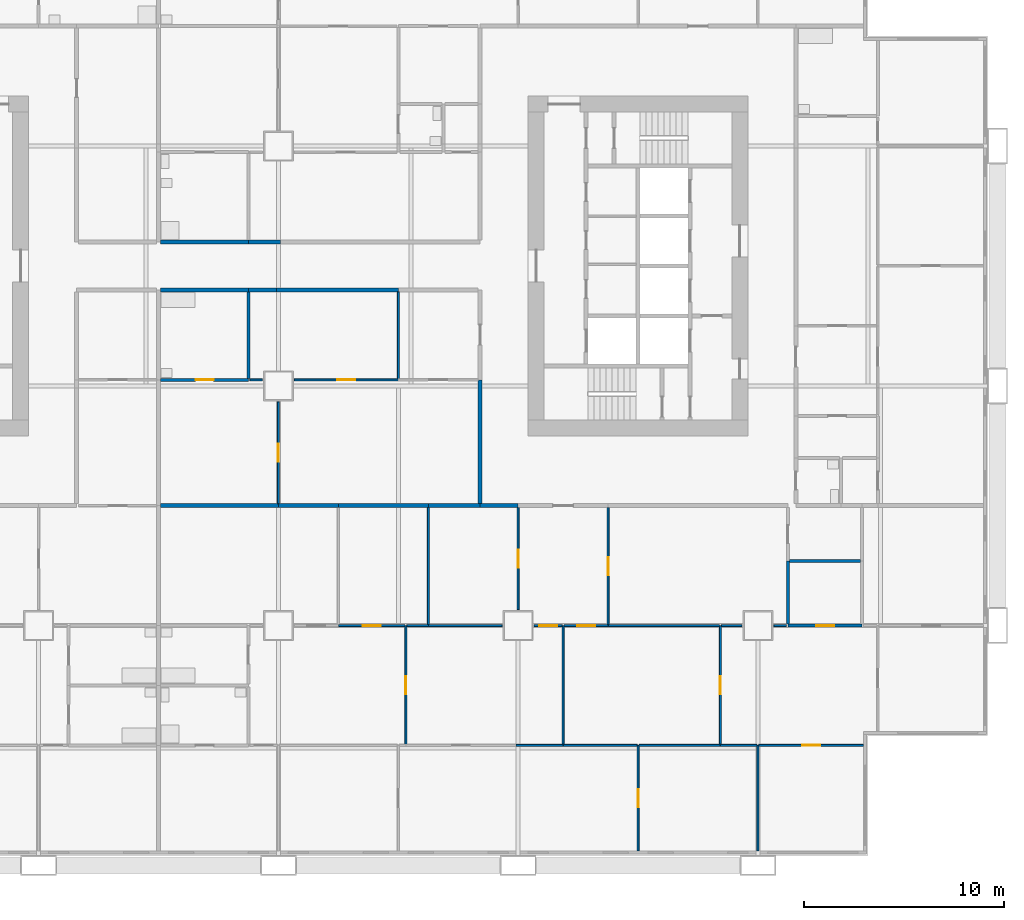
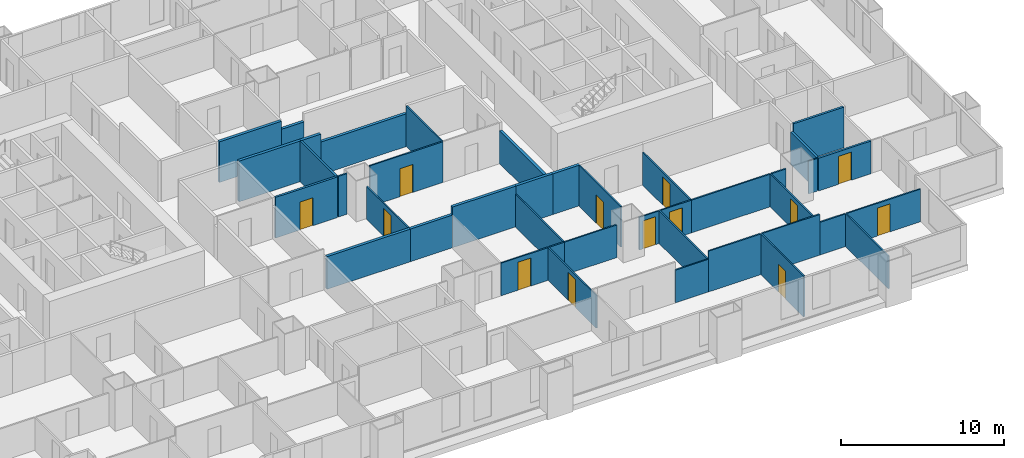
# One storey, part 6 of 14: 41 walls, 13 doors, 13 openings.
"""IFC4 building model written with IfcOpenShell, lengths in metres."""

from ifc_helpers import new_model, si_unit, direction, frame, frame_2d, origin, place, context, subcontext, project, spatial, rectangle, extrude, material, layer, layer_set, type_object, element, fill, save


model = new_model("IFC4")

# Units and contexts
model_context = context("Model", 3, precision=1e-05, world=origin(), true_north=direction((0.0, 1.0)))
body_context = subcontext(model_context, "Body", "Model", "MODEL_VIEW")
ifc_project = project(units=[si_unit("LENGTHUNIT", "METRE"), si_unit("AREAUNIT", "SQUARE_METRE"), si_unit("VOLUMEUNIT", "CUBIC_METRE"), si_unit("PLANEANGLEUNIT", "RADIAN"), si_unit("MASSUNIT", "GRAM", prefix="KILO")], contexts=[model_context])

# Site, building, storey
site_placement = place(None, origin())
site = spatial("IfcSite", under=ifc_project, at=site_placement, CompositionType="ELEMENT")
building_placement = place(site_placement, origin())
building = spatial("IfcBuilding", under=site, at=building_placement, Name="Kitamizu Gate Tower and Museum", CompositionType="ELEMENT")
storey_placement = place(building_placement, frame((0.0, 0.0, 43.800048828125)))
storey = spatial("IfcBuildingStorey", under=building, at=storey_placement, Name="L09", CompositionType="ELEMENT", Elevation=43.800048828125)

# Wall, opening, door
ifc_material_1 = material(Name="Gypsum board on galvanised stud")
ifc_layer_1 = layer(ifc_material_1, 0.10009765625)
ifc_layer_set_1 = layer_set([ifc_layer_1], Name="Gypsum board on galvanised stud")
wall_type_1 = type_object("IfcWallType", Name="Partition 100 NOT RATED", PredefinedType="PARTITIONING", material=ifc_layer_set_1)
wall_1_placement = place(storey_placement, frame((54.0, 0.719970703125, 0.0), z_axis=(0.0, 0.0, 1.0), x_axis=(0.0, 1.0, 0.0)))
wall_1 = element("IfcWall", 1, at=wall_1_placement, inside=storey, type_object=wall_type_1, Name="Partition L09-051", PredefinedType="PARTITIONING", context=body_context, shape_type="SweptSolid", body=[
    extrude(rectangle(XDim=5.280029296875, YDim=0.10009765625, at=frame_2d((2.64013671875, 0.0))), origin(), (0.0, 0.0, 1.0), 3.050048828125),
])
opening_1_placement = place(wall_1_placement, frame((2.18994140625, 0.0, 0.0)))
opening_1 = element("IfcOpeningElement", 2, at=opening_1_placement, cuts=wall_1, Name="Opening L09-027", PredefinedType="OPENING", context=body_context, shape_type="SweptSolid", body=[
    extrude(rectangle(XDim=0.89990234375, YDim=2.10009765625, at=frame_2d((0.449951171875, 1.050048828125))), frame((0.0, 0.06005859375, 0.0), z_axis=(0.0, -1.0, 0.0), x_axis=(1.0, 0.0, 0.0)), (0.0, 0.0, 1.0), 0.1201171875),
])
ifc_material_2 = material(Name="Timber door set", Category="wood")
door_type_1 = type_object("IfcDoorType", Name="Room door 900", OperationType="NOTDEFINED", PredefinedType="DOOR", material=ifc_material_2)
door_1_placement = place(opening_1_placement, frame((0.89990234375, 0.0, 0.0), x_axis=(-1.0, 0.0, 0.0)))
door_1 = element("IfcDoor", 3, at=door_1_placement, inside=storey, type_object=door_type_1, Name="Door L09-027", OperationType="SINGLE_SWING_LEFT", OverallHeight=2.10009765625, OverallWidth=0.89990234375, PredefinedType="DOOR", context=body_context, shape_type="SweptSolid", body=[
    extrude(rectangle(XDim=0.89990234375, YDim=2.10009765625, at=frame_2d((0.449951171875, 1.050048828125))), frame((0.0, 0.02490234375, 0.0), z_axis=(0.0, -1.0, 0.0), x_axis=(1.0, 0.0, 0.0)), (0.0, 0.0, 1.0), 0.050048828125),
])
fill(opening_1, door_1)

# Walls
wall_2_placement = place(storey_placement, frame((50.25, 6.0, 0.0), z_axis=(0.0, 0.0, 1.0), x_axis=(-1.0, 0.0, 0.0)))
element("IfcWall", 4, at=wall_2_placement, inside=storey, type_object=wall_type_1, Name="Partition L09-053", PredefinedType="PARTITIONING", context=body_context, shape_type="SweptSolid", body=[
    extrude(rectangle(XDim=2.35009765625, YDim=0.10009765625, at=frame_2d((1.175048828125, 0.0))), origin(), (0.0, 0.0, 1.0), 2.449951171875),
])
wall_3_placement = place(storey_placement, frame((53.949951171875, 6.0, 0.0), z_axis=(0.0, 0.0, 1.0), x_axis=(-1.0, 0.0, 0.0)))
element("IfcWall", 5, at=wall_3_placement, inside=storey, type_object=wall_type_1, Name="Partition L09-055", PredefinedType="PARTITIONING", context=body_context, shape_type="SweptSolid", body=[
    extrude(rectangle(XDim=3.699951171875, YDim=0.10009765625, at=frame_2d((1.85009765625, 0.0))), origin(), (0.0, 0.0, 1.0), 3.050048828125),
])
wall_4_placement = place(storey_placement, frame((60.0, 0.719970703125, 0.0), z_axis=(0.0, 0.0, 1.0), x_axis=(0.0, 1.0, 0.0)))
element("IfcWall", 6, at=wall_4_placement, inside=storey, type_object=wall_type_1, Name="Partition L09-056", PredefinedType="PARTITIONING", context=body_context, shape_type="SweptSolid", body=[
    extrude(rectangle(XDim=5.280029296875, YDim=0.10009765625, at=frame_2d((2.64013671875, 0.0))), origin(), (0.0, 0.0, 1.0), 2.449951171875),
])
wall_5_placement = place(storey_placement, frame((58.125, 6.0, 0.0), z_axis=(0.0, 0.0, 1.0), x_axis=(-1.0, 0.0, 0.0)))
element("IfcWall", 7, at=wall_5_placement, inside=storey, type_object=wall_type_1, Name="Partition L09-057", PredefinedType="PARTITIONING", context=body_context, shape_type="SweptSolid", body=[
    extrude(rectangle(XDim=4.074951171875, YDim=0.10009765625, at=frame_2d((2.03759765625, 0.0))), origin(), (0.0, 0.0, 1.0), 3.050048828125),
])
wall_6_placement = place(storey_placement, frame((59.949951171875, 6.0, 0.0), z_axis=(0.0, 0.0, 1.0), x_axis=(-1.0, 0.0, 0.0)))
element("IfcWall", 8, at=wall_6_placement, inside=storey, type_object=wall_type_1, Name="Partition L09-058", PredefinedType="PARTITIONING", context=body_context, shape_type="SweptSolid", body=[
    extrude(rectangle(XDim=1.824951171875, YDim=0.10009765625, at=frame_2d((0.91259765625, 0.0))), origin(), (0.0, 0.0, 1.0), 2.449951171875),
])

# Wall, opening, door
wall_7_placement = place(storey_placement, frame((65.280029296875, 6.0, 0.0), z_axis=(0.0, 0.0, 1.0), x_axis=(-1.0, 0.0, 0.0)))
wall_7 = element("IfcWall", 9, at=wall_7_placement, inside=storey, type_object=wall_type_1, Name="Partition L09-059", PredefinedType="PARTITIONING", context=body_context, shape_type="SweptSolid", body=[
    extrude(rectangle(XDim=5.22998046875, YDim=0.10009765625, at=frame_2d((2.614990234375, 0.0))), origin(), (0.0, 0.0, 1.0), 2.449951171875),
])
opening_2_placement = place(wall_7_placement, frame((2.1650390625, 0.0, 0.0)))
opening_2 = element("IfcOpeningElement", 10, at=opening_2_placement, cuts=wall_7, Name="Opening L09-028", PredefinedType="OPENING", context=body_context, shape_type="SweptSolid", body=[
    extrude(rectangle(XDim=0.89990234375, YDim=2.10009765625, at=frame_2d((0.449951171875, 1.050048828125))), frame((0.0, 0.06005859375, 0.0), z_axis=(0.0, -1.0, 0.0), x_axis=(1.0, 0.0, 0.0)), (0.0, 0.0, 1.0), 0.1201171875),
])
door_2_placement = place(opening_2_placement, origin())
door_2 = element("IfcDoor", 11, at=door_2_placement, inside=storey, type_object=door_type_1, Name="Door L09-028", OperationType="SINGLE_SWING_LEFT", OverallHeight=2.10009765625, OverallWidth=0.89990234375, PredefinedType="DOOR", context=body_context, shape_type="SweptSolid", body=[
    extrude(rectangle(XDim=0.89990234375, YDim=2.10009765625, at=frame_2d((0.449951171875, 1.050048828125))), frame((0.0, 0.02490234375, 0.0), z_axis=(0.0, -1.0, 0.0), x_axis=(1.0, 0.0, 0.0)), (0.0, 0.0, 1.0), 0.050048828125),
])
fill(opening_2, door_2)

wall_8_placement = place(storey_placement, frame((42.375, 6.050048828125, 0.0), z_axis=(0.0, 0.0, 1.0), x_axis=(0.0, 1.0, 0.0)))
wall_8 = element("IfcWall", 12, at=wall_8_placement, inside=storey, type_object=wall_type_1, Name="Partition L09-064", PredefinedType="PARTITIONING", context=body_context, shape_type="SweptSolid", body=[
    extrude(rectangle(XDim=5.949951171875, YDim=0.10009765625, at=frame_2d((2.97509765625, 0.0))), origin(), (0.0, 0.0, 1.0), 2.449951171875),
])
opening_3_placement = place(wall_8_placement, frame((2.52490234375, 0.0, 0.0)))
opening_3 = element("IfcOpeningElement", 13, at=opening_3_placement, cuts=wall_8, Name="Opening L09-021", PredefinedType="OPENING", context=body_context, shape_type="SweptSolid", body=[
    extrude(rectangle(XDim=0.89990234375, YDim=2.10009765625, at=frame_2d((0.449951171875, 1.050048828125))), frame((0.0, 0.06005859375, 0.0), z_axis=(0.0, -1.0, 0.0), x_axis=(1.0, 0.0, 0.0)), (0.0, 0.0, 1.0), 0.1201171875),
])
door_3_placement = place(opening_3_placement, frame((0.89990234375, 0.0, 0.0), x_axis=(-1.0, 0.0, 0.0)))
door_3 = element("IfcDoor", 14, at=door_3_placement, inside=storey, type_object=door_type_1, Name="Door L09-021", OperationType="SINGLE_SWING_RIGHT", OverallHeight=2.10009765625, OverallWidth=0.89990234375, PredefinedType="DOOR", context=body_context, shape_type="SweptSolid", body=[
    extrude(rectangle(XDim=0.89990234375, YDim=2.10009765625, at=frame_2d((0.449951171875, 1.050048828125))), frame((0.0, 0.02490234375, 0.0), z_axis=(0.0, -1.0, 0.0), x_axis=(1.0, 0.0, 0.0)), (0.0, 0.0, 1.0), 0.050048828125),
])
fill(opening_3, door_3)

wall_9_placement = place(storey_placement, frame((42.324951171875, 12.0, 0.0), z_axis=(0.0, 0.0, 1.0), x_axis=(-1.0, 0.0, 0.0)))
wall_9 = element("IfcWall", 15, at=wall_9_placement, inside=storey, type_object=wall_type_1, Name="Partition L09-067", PredefinedType="PARTITIONING", context=body_context, shape_type="SweptSolid", body=[
    extrude(rectangle(XDim=3.324951171875, YDim=0.10009765625, at=frame_2d((1.66259765625, 0.0))), origin(), (0.0, 0.0, 1.0), 2.449951171875),
])
opening_4_placement = place(wall_9_placement, frame((1.21240234375, 0.0, 0.0)))
opening_4 = element("IfcOpeningElement", 16, at=opening_4_placement, cuts=wall_9, Name="Opening L09-031", PredefinedType="OPENING", context=body_context, shape_type="SweptSolid", body=[
    extrude(rectangle(XDim=0.89990234375, YDim=2.10009765625, at=frame_2d((0.449951171875, 1.050048828125))), frame((0.0, 0.06005859375, 0.0), z_axis=(0.0, -1.0, 0.0), x_axis=(1.0, 0.0, 0.0)), (0.0, 0.0, 1.0), 0.1201171875),
])
door_4_placement = place(opening_4_placement, frame((0.89990234375, 0.0, 0.0), x_axis=(-1.0, 0.0, 0.0)))
door_4 = element("IfcDoor", 17, at=door_4_placement, inside=storey, type_object=door_type_1, Name="Door L09-031", OperationType="SINGLE_SWING_RIGHT", OverallHeight=2.10009765625, OverallWidth=0.89990234375, PredefinedType="DOOR", context=body_context, shape_type="SweptSolid", body=[
    extrude(rectangle(XDim=0.89990234375, YDim=2.10009765625, at=frame_2d((0.449951171875, 1.050048828125))), frame((0.0, 0.02490234375, 0.0), z_axis=(0.0, -1.0, 0.0), x_axis=(1.0, 0.0, 0.0)), (0.0, 0.0, 1.0), 0.050048828125),
])
fill(opening_4, door_4)

# Walls
wall_10_placement = place(storey_placement, frame((50.25, 6.050048828125, 0.0), z_axis=(0.0, 0.0, 1.0), x_axis=(0.0, 1.0, 0.0)))
element("IfcWall", 18, at=wall_10_placement, inside=storey, type_object=wall_type_1, Name="Partition L09-068", PredefinedType="PARTITIONING", context=body_context, shape_type="SweptSolid", body=[
    extrude(rectangle(XDim=5.949951171875, YDim=0.10009765625, at=frame_2d((2.97509765625, 0.0))), origin(), (0.0, 0.0, 1.0), 2.449951171875),
])
wall_11_placement = place(storey_placement, frame((43.5, 12.0, 0.0), z_axis=(0.0, 0.0, 1.0), x_axis=(-1.0, 0.0, 0.0)))
element("IfcWall", 19, at=wall_11_placement, inside=storey, type_object=wall_type_1, Name="Partition L09-069", PredefinedType="PARTITIONING", context=body_context, shape_type="SweptSolid", body=[
    extrude(rectangle(XDim=1.074951171875, YDim=0.10009765625, at=frame_2d((0.53759765625, 0.0))), origin(), (0.0, 0.0, 1.0), 2.449951171875),
])
wall_12_placement = place(storey_placement, frame((47.199951171875, 12.0, 0.0), z_axis=(0.0, 0.0, 1.0), x_axis=(-1.0, 0.0, 0.0)))
element("IfcWall", 20, at=wall_12_placement, inside=storey, type_object=wall_type_1, Name="Partition L09-070", PredefinedType="PARTITIONING", context=body_context, shape_type="SweptSolid", body=[
    extrude(rectangle(XDim=3.699951171875, YDim=0.10009765625, at=frame_2d((1.85009765625, 0.0))), origin(), (0.0, 0.0, 1.0), 2.449951171875),
])

# Wall, opening, door
wall_13_placement = place(storey_placement, frame((50.199951171875, 12.0, 0.0), z_axis=(0.0, 0.0, 1.0), x_axis=(-1.0, 0.0, 0.0)))
wall_13 = element("IfcWall", 21, at=wall_13_placement, inside=storey, type_object=wall_type_1, Name="Partition L09-071", PredefinedType="PARTITIONING", context=body_context, shape_type="SweptSolid", body=[
    extrude(rectangle(XDim=1.39990234375, YDim=0.10009765625, at=frame_2d((0.699951171875, 0.0))), origin(), (0.0, 0.0, 1.0), 2.449951171875),
])
opening_5_placement = place(wall_13_placement, frame((0.25, 0.0, 0.0)))
opening_5 = element("IfcOpeningElement", 22, at=opening_5_placement, cuts=wall_13, Name="Opening L09-018", PredefinedType="OPENING", context=body_context, shape_type="SweptSolid", body=[
    extrude(rectangle(XDim=0.89990234375, YDim=2.10009765625, at=frame_2d((0.449951171875, 1.050048828125))), frame((0.0, 0.06005859375, 0.0), z_axis=(0.0, -1.0, 0.0), x_axis=(1.0, 0.0, 0.0)), (0.0, 0.0, 1.0), 0.1201171875),
])
door_5_placement = place(opening_5_placement, origin())
door_5 = element("IfcDoor", 23, at=door_5_placement, inside=storey, type_object=door_type_1, Name="Door L09-018", OperationType="SINGLE_SWING_LEFT", OverallHeight=2.10009765625, OverallWidth=0.89990234375, PredefinedType="DOOR", context=body_context, shape_type="SweptSolid", body=[
    extrude(rectangle(XDim=0.89990234375, YDim=2.10009765625, at=frame_2d((0.449951171875, 1.050048828125))), frame((0.0, 0.02490234375, 0.0), z_axis=(0.0, -1.0, 0.0), x_axis=(1.0, 0.0, 0.0)), (0.0, 0.0, 1.0), 0.050048828125),
])
fill(opening_5, door_5)

wall_14_placement = place(storey_placement, frame((58.125, 6.050048828125, 0.0), z_axis=(0.0, 0.0, 1.0), x_axis=(0.0, 1.0, 0.0)))
wall_14 = element("IfcWall", 24, at=wall_14_placement, inside=storey, type_object=wall_type_1, Name="Partition L09-072", PredefinedType="PARTITIONING", context=body_context, shape_type="SweptSolid", body=[
    extrude(rectangle(XDim=5.949951171875, YDim=0.10009765625, at=frame_2d((2.97509765625, 0.0))), origin(), (0.0, 0.0, 1.0), 2.449951171875),
])
opening_6_placement = place(wall_14_placement, frame((2.52490234375, 0.0, 0.0)))
opening_6 = element("IfcOpeningElement", 25, at=opening_6_placement, cuts=wall_14, Name="Opening L09-022", PredefinedType="OPENING", context=body_context, shape_type="SweptSolid", body=[
    extrude(rectangle(XDim=0.89990234375, YDim=2.10009765625, at=frame_2d((0.449951171875, 1.050048828125))), frame((0.0, 0.06005859375, 0.0), z_axis=(0.0, -1.0, 0.0), x_axis=(1.0, 0.0, 0.0)), (0.0, 0.0, 1.0), 0.1201171875),
])
door_6_placement = place(opening_6_placement, frame((0.89990234375, 0.0, 0.0), x_axis=(-1.0, 0.0, 0.0)))
door_6 = element("IfcDoor", 26, at=door_6_placement, inside=storey, type_object=door_type_1, Name="Door L09-022", OperationType="SINGLE_SWING_LEFT", OverallHeight=2.10009765625, OverallWidth=0.89990234375, PredefinedType="DOOR", context=body_context, shape_type="SweptSolid", body=[
    extrude(rectangle(XDim=0.89990234375, YDim=2.10009765625, at=frame_2d((0.449951171875, 1.050048828125))), frame((0.0, 0.02490234375, 0.0), z_axis=(0.0, -1.0, 0.0), x_axis=(1.0, 0.0, 0.0)), (0.0, 0.0, 1.0), 0.050048828125),
])
fill(opening_6, door_6)

wall_15_placement = place(storey_placement, frame((52.5, 12.0, 0.0), z_axis=(0.0, 0.0, 1.0), x_axis=(-1.0, 0.0, 0.0)))
wall_15 = element("IfcWall", 27, at=wall_15_placement, inside=storey, type_object=wall_type_1, Name="Partition L09-073", PredefinedType="PARTITIONING", context=body_context, shape_type="SweptSolid", body=[
    extrude(rectangle(XDim=2.199951171875, YDim=0.10009765625, at=frame_2d((1.10009765625, 0.0))), origin(), (0.0, 0.0, 1.0), 2.449951171875),
])
opening_7_placement = place(wall_15_placement, frame((0.64990234375, 0.0, 0.0)))
opening_7 = element("IfcOpeningElement", 28, at=opening_7_placement, cuts=wall_15, Name="Opening L09-019", PredefinedType="OPENING", context=body_context, shape_type="SweptSolid", body=[
    extrude(rectangle(XDim=0.89990234375, YDim=2.10009765625, at=frame_2d((0.449951171875, 1.050048828125))), frame((0.0, 0.06005859375, 0.0), z_axis=(0.0, -1.0, 0.0), x_axis=(1.0, 0.0, 0.0)), (0.0, 0.0, 1.0), 0.1201171875),
])
door_7_placement = place(opening_7_placement, origin())
door_7 = element("IfcDoor", 29, at=door_7_placement, inside=storey, type_object=door_type_1, Name="Door L09-019", OperationType="SINGLE_SWING_LEFT", OverallHeight=2.10009765625, OverallWidth=0.89990234375, PredefinedType="DOOR", context=body_context, shape_type="SweptSolid", body=[
    extrude(rectangle(XDim=0.89990234375, YDim=2.10009765625, at=frame_2d((0.449951171875, 1.050048828125))), frame((0.0, 0.02490234375, 0.0), z_axis=(0.0, -1.0, 0.0), x_axis=(1.0, 0.0, 0.0)), (0.0, 0.0, 1.0), 0.050048828125),
])
fill(opening_7, door_7)

# Walls
wall_16_placement = place(storey_placement, frame((58.074951171875, 12.0, 0.0), z_axis=(0.0, 0.0, 1.0), x_axis=(-1.0, 0.0, 0.0)))
element("IfcWall", 30, at=wall_16_placement, inside=storey, type_object=wall_type_1, Name="Partition L09-074", PredefinedType="PARTITIONING", context=body_context, shape_type="SweptSolid", body=[
    extrude(rectangle(XDim=5.574951171875, YDim=0.10009765625, at=frame_2d((2.78759765625, 0.0))), origin(), (0.0, 0.0, 1.0), 2.449951171875),
])
wall_17_placement = place(storey_placement, frame((59.199951171875, 12.0, 0.0), z_axis=(0.0, 0.0, 1.0), x_axis=(-1.0, 0.0, 0.0)))
element("IfcWall", 31, at=wall_17_placement, inside=storey, type_object=wall_type_1, Name="Partition L09-076", PredefinedType="PARTITIONING", context=body_context, shape_type="SweptSolid", body=[
    extrude(rectangle(XDim=1.02490234375, YDim=0.10009765625, at=frame_2d((0.512451171875, 0.0))), origin(), (0.0, 0.0, 1.0), 2.449951171875),
])
wall_18_placement = place(storey_placement, frame((61.425048828125, 12.0, 0.0), z_axis=(0.0, 0.0, 1.0), x_axis=(-1.0, 0.0, 0.0)))
element("IfcWall", 32, at=wall_18_placement, inside=storey, type_object=wall_type_1, Name="Partition L09-077", PredefinedType="PARTITIONING", context=body_context, shape_type="SweptSolid", body=[
    extrude(rectangle(XDim=0.625, YDim=0.10009765625, at=frame_2d((0.3125, 0.0))), origin(), (0.0, 0.0, 1.0), 2.449951171875),
])
wall_19_placement = place(storey_placement, frame((43.5, 12.050048828125, 0.0), z_axis=(0.0, 0.0, 1.0), x_axis=(0.0, 1.0, 0.0)))
element("IfcWall", 33, at=wall_19_placement, inside=storey, type_object=wall_type_1, Name="Partition L09-084", PredefinedType="PARTITIONING", context=body_context, shape_type="SweptSolid", body=[
    extrude(rectangle(XDim=5.849853515625, YDim=0.10009765625, at=frame_2d((2.9248046875, 0.0))), origin(), (0.0, 0.0, 1.0), 2.449951171875),
])

# Wall, opening, door
wall_20_placement = place(storey_placement, frame((48.0, 12.800048828125, 0.0), z_axis=(0.0, 0.0, 1.0), x_axis=(0.0, 1.0, 0.0)))
wall_20 = element("IfcWall", 34, at=wall_20_placement, inside=storey, type_object=wall_type_1, Name="Partition L09-086", PredefinedType="PARTITIONING", context=body_context, shape_type="SweptSolid", body=[
    extrude(rectangle(XDim=5.099853515625, YDim=0.10009765625, at=frame_2d((2.5498046875, 0.0))), origin(), (0.0, 0.0, 1.0), 3.050048828125),
])
opening_8_placement = place(wall_20_placement, frame((2.10009765625, 0.0, 0.0)))
opening_8 = element("IfcOpeningElement", 35, at=opening_8_placement, cuts=wall_20, Name="Opening L09-032", PredefinedType="OPENING", context=body_context, shape_type="SweptSolid", body=[
    extrude(rectangle(XDim=0.89990234375, YDim=2.10009765625, at=frame_2d((0.449951171875, 1.050048828125))), frame((0.0, 0.06005859375, 0.0), z_axis=(0.0, -1.0, 0.0), x_axis=(1.0, 0.0, 0.0)), (0.0, 0.0, 1.0), 0.1201171875),
])
door_8_placement = place(opening_8_placement, origin())
door_8 = element("IfcDoor", 36, at=door_8_placement, inside=storey, type_object=door_type_1, Name="Door L09-032", OperationType="SINGLE_SWING_RIGHT", OverallHeight=2.10009765625, OverallWidth=0.89990234375, PredefinedType="DOOR", context=body_context, shape_type="SweptSolid", body=[
    extrude(rectangle(XDim=0.89990234375, YDim=2.10009765625, at=frame_2d((0.449951171875, 1.050048828125))), frame((0.0, 0.02490234375, 0.0), z_axis=(0.0, -1.0, 0.0), x_axis=(1.0, 0.0, 0.0)), (0.0, 0.0, 1.0), 0.050048828125),
])
fill(opening_8, door_8)

wall_21_placement = place(storey_placement, frame((52.5, 12.050048828125, 0.0), z_axis=(0.0, 0.0, 1.0), x_axis=(0.0, 1.0, 0.0)))
wall_21 = element("IfcWall", 37, at=wall_21_placement, inside=storey, type_object=wall_type_1, Name="Partition L09-089", PredefinedType="PARTITIONING", context=body_context, shape_type="SweptSolid", body=[
    extrude(rectangle(XDim=5.849853515625, YDim=0.10009765625, at=frame_2d((2.9248046875, 0.0))), origin(), (0.0, 0.0, 1.0), 2.449951171875),
])
opening_9_placement = place(wall_21_placement, frame((2.47509765625, 0.0, 0.0)))
opening_9 = element("IfcOpeningElement", 38, at=opening_9_placement, cuts=wall_21, Name="Opening L09-033", PredefinedType="OPENING", context=body_context, shape_type="SweptSolid", body=[
    extrude(rectangle(XDim=0.89990234375, YDim=2.10009765625, at=frame_2d((0.449951171875, 1.050048828125))), frame((0.0, 0.06005859375, 0.0), z_axis=(0.0, -1.0, 0.0), x_axis=(1.0, 0.0, 0.0)), (0.0, 0.0, 1.0), 0.1201171875),
])
door_9_placement = place(opening_9_placement, frame((0.89990234375, 0.0, 0.0), x_axis=(-1.0, 0.0, 0.0)))
door_9 = element("IfcDoor", 39, at=door_9_placement, inside=storey, type_object=door_type_1, Name="Door L09-033", OperationType="SINGLE_SWING_RIGHT", OverallHeight=2.10009765625, OverallWidth=0.89990234375, PredefinedType="DOOR", context=body_context, shape_type="SweptSolid", body=[
    extrude(rectangle(XDim=0.89990234375, YDim=2.10009765625, at=frame_2d((0.449951171875, 1.050048828125))), frame((0.0, 0.02490234375, 0.0), z_axis=(0.0, -1.0, 0.0), x_axis=(1.0, 0.0, 0.0)), (0.0, 0.0, 1.0), 0.050048828125),
])
fill(opening_9, door_9)

wall_22_placement = place(storey_placement, frame((36.0, 18.10009765625, 0.0), z_axis=(0.0, 0.0, 1.0), x_axis=(0.0, 1.0, 0.0)))
wall_22 = element("IfcWall", 40, at=wall_22_placement, inside=storey, type_object=wall_type_1, Name="Partition L09-101", PredefinedType="PARTITIONING", context=body_context, shape_type="SweptSolid", body=[
    extrude(rectangle(XDim=5.099853515625, YDim=0.10009765625, at=frame_2d((2.5498046875, 0.0))), origin(), (0.0, 0.0, 1.0), 2.449951171875),
])
opening_10_placement = place(wall_22_placement, frame((2.10009765625, 0.0, 0.0)))
opening_10 = element("IfcOpeningElement", 41, at=opening_10_placement, cuts=wall_22, Name="Opening L09-039", PredefinedType="OPENING", context=body_context, shape_type="SweptSolid", body=[
    extrude(rectangle(XDim=0.89990234375, YDim=2.10009765625, at=frame_2d((0.449951171875, 1.050048828125))), frame((0.0, 0.06005859375, 0.0), z_axis=(0.0, -1.0, 0.0), x_axis=(1.0, 0.0, 0.0)), (0.0, 0.0, 1.0), 0.1201171875),
])
door_10_placement = place(opening_10_placement, origin())
door_10 = element("IfcDoor", 42, at=door_10_placement, inside=storey, type_object=door_type_1, Name="Door L09-039", OperationType="SINGLE_SWING_LEFT", OverallHeight=2.10009765625, OverallWidth=0.89990234375, PredefinedType="DOOR", context=body_context, shape_type="SweptSolid", body=[
    extrude(rectangle(XDim=0.89990234375, YDim=2.10009765625, at=frame_2d((0.449951171875, 1.050048828125))), frame((0.0, 0.02490234375, 0.0), z_axis=(0.0, -1.0, 0.0), x_axis=(1.0, 0.0, 0.0)), (0.0, 0.0, 1.0), 0.050048828125),
])
fill(opening_10, door_10)

# Wall
wall_23_placement = place(storey_placement, frame((35.199951171875, 24.300048828125, 0.0), z_axis=(0.0, 0.0, 1.0), x_axis=(-1.0, 0.0, 0.0)))
element("IfcWall", 43, at=wall_23_placement, inside=storey, type_object=wall_type_1, Name="Partition L09-103", PredefinedType="PARTITIONING", context=body_context, shape_type="SweptSolid", body=[
    extrude(rectangle(XDim=0.625, YDim=0.10009765625, at=frame_2d((0.3125, 0.0))), origin(), (0.0, 0.0, 1.0), 3.050048828125),
])

# Wall, opening, door
wall_24_placement = place(storey_placement, frame((42.0, 24.300048828125, 0.0), z_axis=(0.0, 0.0, 1.0), x_axis=(-1.0, 0.0, 0.0)))
wall_24 = element("IfcWall", 44, at=wall_24_placement, inside=storey, type_object=wall_type_1, Name="Partition L09-104", PredefinedType="PARTITIONING", context=body_context, shape_type="SweptSolid", body=[
    extrude(rectangle(XDim=5.199951171875, YDim=0.10009765625, at=frame_2d((2.60009765625, 0.0))), origin(), (0.0, 0.0, 1.0), 3.050048828125),
])
opening_11_placement = place(wall_24_placement, frame((2.14990234375, 0.0, 0.0)))
opening_11 = element("IfcOpeningElement", 45, at=opening_11_placement, cuts=wall_24, Name="Opening L09-041", PredefinedType="OPENING", context=body_context, shape_type="SweptSolid", body=[
    extrude(rectangle(XDim=0.89990234375, YDim=2.10009765625, at=frame_2d((0.449951171875, 1.050048828125))), frame((0.0, 0.06005859375, 0.0), z_axis=(0.0, -1.0, 0.0), x_axis=(1.0, 0.0, 0.0)), (0.0, 0.0, 1.0), 0.1201171875),
])
door_11_placement = place(opening_11_placement, frame((0.89990234375, 0.0, 0.0), x_axis=(-1.0, 0.0, 0.0)))
door_11 = element("IfcDoor", 46, at=door_11_placement, inside=storey, type_object=door_type_1, Name="Door L09-041", OperationType="SINGLE_SWING_RIGHT", OverallHeight=2.10009765625, OverallWidth=0.89990234375, PredefinedType="DOOR", context=body_context, shape_type="SweptSolid", body=[
    extrude(rectangle(XDim=0.89990234375, YDim=2.10009765625, at=frame_2d((0.449951171875, 1.050048828125))), frame((0.0, 0.02490234375, 0.0), z_axis=(0.0, -1.0, 0.0), x_axis=(1.0, 0.0, 0.0)), (0.0, 0.0, 1.0), 0.050048828125),
])
fill(opening_11, door_11)

# Wall
wall_25_placement = place(storey_placement, frame((42.0, 24.35009765625, 0.0), z_axis=(0.0, 0.0, 1.0), x_axis=(0.0, 1.0, 0.0)))
element("IfcWall", 47, at=wall_25_placement, inside=storey, type_object=wall_type_1, Name="Partition L09-109", PredefinedType="PARTITIONING", context=body_context, shape_type="SweptSolid", body=[
    extrude(rectangle(XDim=4.349853515625, YDim=0.10009765625, at=frame_2d((2.1748046875, 0.0))), origin(), (0.0, 0.0, 1.0), 3.050048828125),
])

# Wall, opening, door
ifc_material_3 = material(Name="Gypsum board on galvanised stud")
ifc_layer_2 = layer(ifc_material_3, 0.14990234375)
ifc_layer_set_2 = layer_set([ifc_layer_2], Name="Gypsum board on galvanised stud")
wall_type_2 = type_object("IfcWallType", Name="Partition 150", PredefinedType="PARTITIONING", material=ifc_layer_set_2)
wall_26_placement = place(storey_placement, frame((65.216064453125, 12.0, 0.0), z_axis=(0.0, 0.0, 1.0), x_axis=(-1.0, 0.0, 0.0)))
wall_26 = element("IfcWall", 48, at=wall_26_placement, inside=storey, type_object=wall_type_2, Name="Partition L09-079", PredefinedType="PARTITIONING", context=body_context, shape_type="SweptSolid", body=[
    extrude(rectangle(XDim=3.716064453125, YDim=0.14990234375, at=frame_2d((1.85791015625, 0.0))), origin(), (0.0, 0.0, 1.0), 2.449951171875),
])
opening_12_placement = place(wall_26_placement, frame((1.407958984375, 0.0, 0.0)))
opening_12 = element("IfcOpeningElement", 49, at=opening_12_placement, cuts=wall_26, Name="Opening L09-035", PredefinedType="OPENING", context=body_context, shape_type="SweptSolid", body=[
    extrude(rectangle(XDim=0.89990234375, YDim=2.10009765625, at=frame_2d((0.449951171875, 1.050048828125))), frame((0.0, 0.0849609375, 0.0), z_axis=(0.0, -1.0, 0.0), x_axis=(1.0, 0.0, 0.0)), (0.0, 0.0, 1.0), 0.169921875),
])
ifc_material_4 = material(Name="Timber door set", Category="wood")
door_type_2 = type_object("IfcDoorType", Name="Bathroom door 900", OperationType="NOTDEFINED", PredefinedType="DOOR", material=ifc_material_4)
door_12_placement = place(opening_12_placement, frame((0.89990234375, 0.0, 0.0), x_axis=(-1.0, 0.0, 0.0)))
door_12 = element("IfcDoor", 50, at=door_12_placement, inside=storey, type_object=door_type_2, Name="Bathroom door L09-035", OperationType="SINGLE_SWING_RIGHT", OverallHeight=2.10009765625, OverallWidth=0.89990234375, PredefinedType="DOOR", context=body_context, shape_type="SweptSolid", body=[
    extrude(rectangle(XDim=0.89990234375, YDim=2.10009765625, at=frame_2d((0.449951171875, 1.050048828125))), frame((0.0, 0.02490234375, 0.0), z_axis=(0.0, -1.0, 0.0), x_axis=(1.0, 0.0, 0.0)), (0.0, 0.0, 1.0), 0.050048828125),
])
fill(opening_12, door_12)

# Walls
wall_27_placement = place(storey_placement, frame((61.5, 12.074951171875, 0.0), z_axis=(0.0, 0.0, 1.0), x_axis=(0.0, 1.0, 0.0)))
element("IfcWall", 51, at=wall_27_placement, inside=storey, type_object=wall_type_2, Name="Partition L09-091", PredefinedType="PARTITIONING", context=body_context, shape_type="SweptSolid", body=[
    extrude(rectangle(XDim=3.154052734375, YDim=0.14990234375, at=frame_2d((1.5771484375, 0.0))), origin(), (0.0, 0.0, 1.0), 2.449951171875),
])
wall_28_placement = place(storey_placement, frame((65.14111328125, 15.22900390625, 0.0), z_axis=(0.0, 0.0, 1.0), x_axis=(-1.0, 0.0, 0.0)))
element("IfcWall", 52, at=wall_28_placement, inside=storey, type_object=wall_type_2, Name="Partition L09-098", PredefinedType="PARTITIONING", context=body_context, shape_type="SweptSolid", body=[
    extrude(rectangle(XDim=3.566162109375, YDim=0.14990234375, at=frame_2d((1.783203125, 0.0))), origin(), (0.0, 0.0, 1.0), 3.050048828125),
])

# Wall, opening, door
wall_29_placement = place(storey_placement, frame((34.5, 24.300048828125, 0.0), z_axis=(0.0, 0.0, 1.0), x_axis=(-1.0, 0.0, 0.0)))
wall_29 = element("IfcWall", 53, at=wall_29_placement, inside=storey, type_object=wall_type_2, Name="Partition L09-102", PredefinedType="PARTITIONING", context=body_context, shape_type="SweptSolid", body=[
    extrude(rectangle(XDim=4.39990234375, YDim=0.14990234375, at=frame_2d((2.199951171875, 0.0))), origin(), (0.0, 0.0, 1.0), 3.050048828125),
])
opening_13_placement = place(wall_29_placement, frame((1.75, 0.0, 0.0)))
opening_13 = element("IfcOpeningElement", 54, at=opening_13_placement, cuts=wall_29, Name="Opening L09-040", PredefinedType="OPENING", context=body_context, shape_type="SweptSolid", body=[
    extrude(rectangle(XDim=0.89990234375, YDim=2.10009765625, at=frame_2d((0.449951171875, 1.050048828125))), frame((0.0, 0.0849609375, 0.0), z_axis=(0.0, -1.0, 0.0), x_axis=(1.0, 0.0, 0.0)), (0.0, 0.0, 1.0), 0.169921875),
])
door_13_placement = place(opening_13_placement, frame((0.89990234375, 0.0, 0.0), x_axis=(-1.0, 0.0, 0.0)))
door_13 = element("IfcDoor", 55, at=door_13_placement, inside=storey, type_object=door_type_2, Name="Bathroom door L09-040", OperationType="SINGLE_SWING_LEFT", OverallHeight=2.10009765625, OverallWidth=0.89990234375, PredefinedType="DOOR", context=body_context, shape_type="SweptSolid", body=[
    extrude(rectangle(XDim=0.89990234375, YDim=2.10009765625, at=frame_2d((0.449951171875, 1.050048828125))), frame((0.0, 0.02490234375, 0.0), z_axis=(0.0, -1.0, 0.0), x_axis=(1.0, 0.0, 0.0)), (0.0, 0.0, 1.0), 0.050048828125),
])
fill(opening_13, door_13)

# Walls
wall_30_placement = place(storey_placement, frame((34.5, 24.375, 0.0), z_axis=(0.0, 0.0, 1.0), x_axis=(0.0, 1.0, 0.0)))
element("IfcWall", 56, at=wall_30_placement, inside=storey, type_object=wall_type_2, Name="Partition L09-107", PredefinedType="PARTITIONING", context=body_context, shape_type="SweptSolid", body=[
    extrude(rectangle(XDim=4.324951171875, YDim=0.14990234375, at=frame_2d((2.16259765625, 0.0))), origin(), (0.0, 0.0, 1.0), 3.050048828125),
])
ifc_material_5 = material(Name="Gypsum board on galvanised stud")
ifc_layer_3 = layer(ifc_material_5, 0.199951171875)
ifc_layer_set_3 = layer_set([ifc_layer_3], Name="Gypsum board on galvanised stud")
wall_type_3 = type_object("IfcWallType", Name="Partition 200", PredefinedType="PARTITIONING", material=ifc_layer_set_3)
wall_31_placement = place(storey_placement, frame((36.0, 18.0, 0.0), z_axis=(0.0, 0.0, 1.0), x_axis=(-1.0, 0.0, 0.0)))
element("IfcWall", 57, at=wall_31_placement, inside=storey, type_object=wall_type_3, Name="Partition L09-082", PredefinedType="PARTITIONING", context=body_context, shape_type="SweptSolid", body=[
    extrude(rectangle(XDim=5.89990234375, YDim=0.199951171875, at=frame_2d((2.949951171875, 0.0))), origin(), (0.0, 0.0, 1.0), 2.449951171875),
])
wall_32_placement = place(storey_placement, frame((39.0, 18.0, 0.0), z_axis=(0.0, 0.0, 1.0), x_axis=(-1.0, 0.0, 0.0)))
element("IfcWall", 58, at=wall_32_placement, inside=storey, type_object=wall_type_3, Name="Partition L09-083", PredefinedType="PARTITIONING", context=body_context, shape_type="SweptSolid", body=[
    extrude(rectangle(XDim=3.0, YDim=0.199951171875, at=frame_2d((1.5, 0.0))), origin(), (0.0, 0.0, 1.0), 2.449951171875),
])
wall_33_placement = place(storey_placement, frame((43.5, 18.0, 0.0), z_axis=(0.0, 0.0, 1.0), x_axis=(-1.0, 0.0, 0.0)))
element("IfcWall", 59, at=wall_33_placement, inside=storey, type_object=wall_type_3, Name="Partition L09-085", PredefinedType="PARTITIONING", context=body_context, shape_type="SweptSolid", body=[
    extrude(rectangle(XDim=4.5, YDim=0.199951171875, at=frame_2d((2.25, 0.0))), origin(), (0.0, 0.0, 1.0), 3.050048828125),
])
wall_34_placement = place(storey_placement, frame((46.10009765625, 18.0, 0.0), z_axis=(0.0, 0.0, 1.0), x_axis=(-1.0, 0.0, 0.0)))
element("IfcWall", 60, at=wall_34_placement, inside=storey, type_object=wall_type_3, Name="Partition L09-087", PredefinedType="PARTITIONING", context=body_context, shape_type="SweptSolid", body=[
    extrude(rectangle(XDim=2.60009765625, YDim=0.199951171875, at=frame_2d((1.300048828125, 0.0))), origin(), (0.0, 0.0, 1.0), 3.050048828125),
])
wall_35_placement = place(storey_placement, frame((48.0, 18.0, 0.0), z_axis=(0.0, 0.0, 1.0), x_axis=(-1.0, 0.0, 0.0)))
element("IfcWall", 61, at=wall_35_placement, inside=storey, type_object=wall_type_3, Name="Partition L09-088", PredefinedType="PARTITIONING", context=body_context, shape_type="SweptSolid", body=[
    extrude(rectangle(XDim=1.89990234375, YDim=0.199951171875, at=frame_2d((0.949951171875, 0.0))), origin(), (0.0, 0.0, 1.0), 3.050048828125),
])
wall_36_placement = place(storey_placement, frame((46.10009765625, 18.10009765625, 0.0), z_axis=(0.0, 0.0, 1.0), x_axis=(0.0, 1.0, 0.0)))
element("IfcWall", 62, at=wall_36_placement, inside=storey, type_object=wall_type_3, Name="Partition L09-106", PredefinedType="PARTITIONING", context=body_context, shape_type="SweptSolid", body=[
    extrude(rectangle(XDim=6.199951171875, YDim=0.199951171875, at=frame_2d((3.10009765625, 0.0))), origin(), (0.0, 0.0, 1.0), 2.449951171875),
])
wall_37_placement = place(storey_placement, frame((34.5, 28.800048828125, 0.0), z_axis=(0.0, 0.0, 1.0), x_axis=(-1.0, 0.0, 0.0)))
element("IfcWall", 63, at=wall_37_placement, inside=storey, type_object=wall_type_3, Name="Partition L09-108", PredefinedType="PARTITIONING", context=body_context, shape_type="SweptSolid", body=[
    extrude(rectangle(XDim=4.39990234375, YDim=0.199951171875, at=frame_2d((2.199951171875, 0.0))), origin(), (0.0, 0.0, 1.0), 3.050048828125),
])
wall_38_placement = place(storey_placement, frame((42.0, 28.800048828125, 0.0), z_axis=(0.0, 0.0, 1.0), x_axis=(-1.0, 0.0, 0.0)))
element("IfcWall", 64, at=wall_38_placement, inside=storey, type_object=wall_type_3, Name="Partition L09-110", PredefinedType="PARTITIONING", context=body_context, shape_type="SweptSolid", body=[
    extrude(rectangle(XDim=6.10009765625, YDim=0.199951171875, at=frame_2d((3.050048828125, 0.0))), origin(), (0.0, 0.0, 1.0), 2.449951171875),
])
wall_39_placement = place(storey_placement, frame((35.89990234375, 28.800048828125, 0.0), z_axis=(0.0, 0.0, 1.0), x_axis=(-1.0, 0.0, 0.0)))
element("IfcWall", 65, at=wall_39_placement, inside=storey, type_object=wall_type_3, Name="Partition L09-111", PredefinedType="PARTITIONING", context=body_context, shape_type="SweptSolid", body=[
    extrude(rectangle(XDim=1.39990234375, YDim=0.199951171875, at=frame_2d((0.699951171875, 0.0))), origin(), (0.0, 0.0, 1.0), 3.050048828125),
])
wall_40_placement = place(storey_placement, frame((30.10009765625, 31.199951171875, 0.0), z_axis=(0.0, 0.0, 1.0), x_axis=(1.0, 0.0, 0.0)))
element("IfcWall", 66, at=wall_40_placement, inside=storey, type_object=wall_type_3, Name="Partition L09-187", PredefinedType="PARTITIONING", context=body_context, shape_type="SweptSolid", body=[
    extrude(rectangle(XDim=4.39990234375, YDim=0.199951171875, at=frame_2d((2.199951171875, 0.0))), origin(), (0.0, 0.0, 1.0), 3.050048828125),
])
wall_41_placement = place(storey_placement, frame((34.5, 31.199951171875, 0.0), z_axis=(0.0, 0.0, 1.0), x_axis=(1.0, 0.0, 0.0)))
element("IfcWall", 67, at=wall_41_placement, inside=storey, type_object=wall_type_3, Name="Partition L09-188", PredefinedType="PARTITIONING", context=body_context, shape_type="SweptSolid", body=[
    extrude(rectangle(XDim=1.60009765625, YDim=0.199951171875, at=frame_2d((0.800048828125, 0.0))), origin(), (0.0, 0.0, 1.0), 2.449951171875),
])

save(model, "model.ifc")
